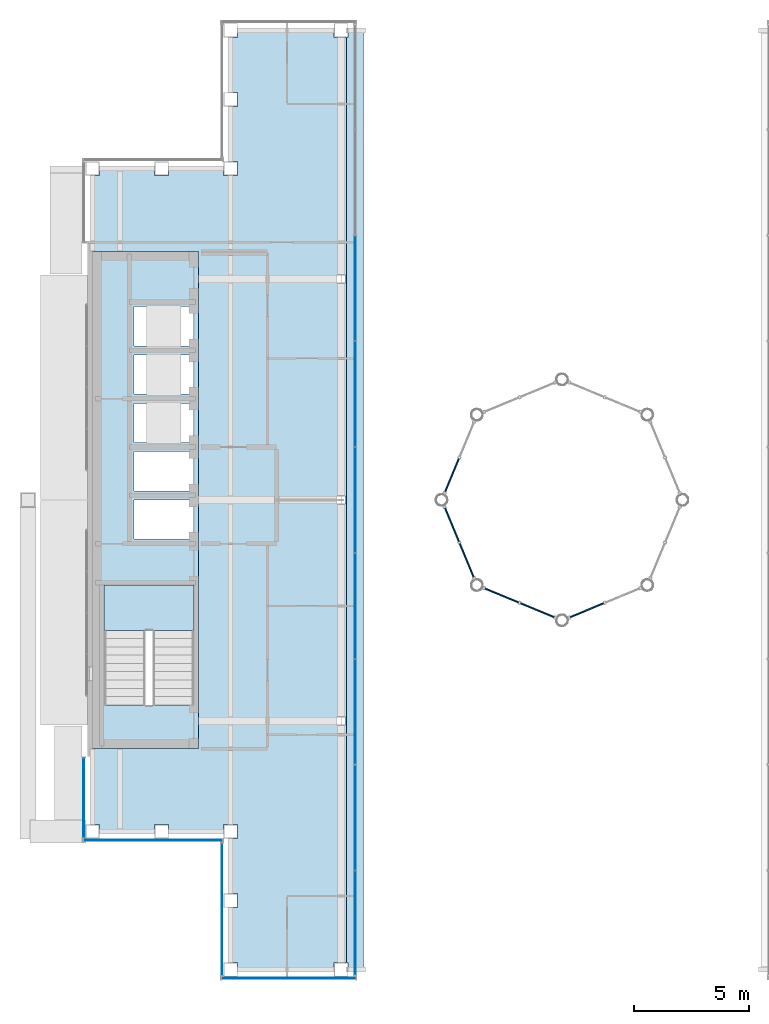
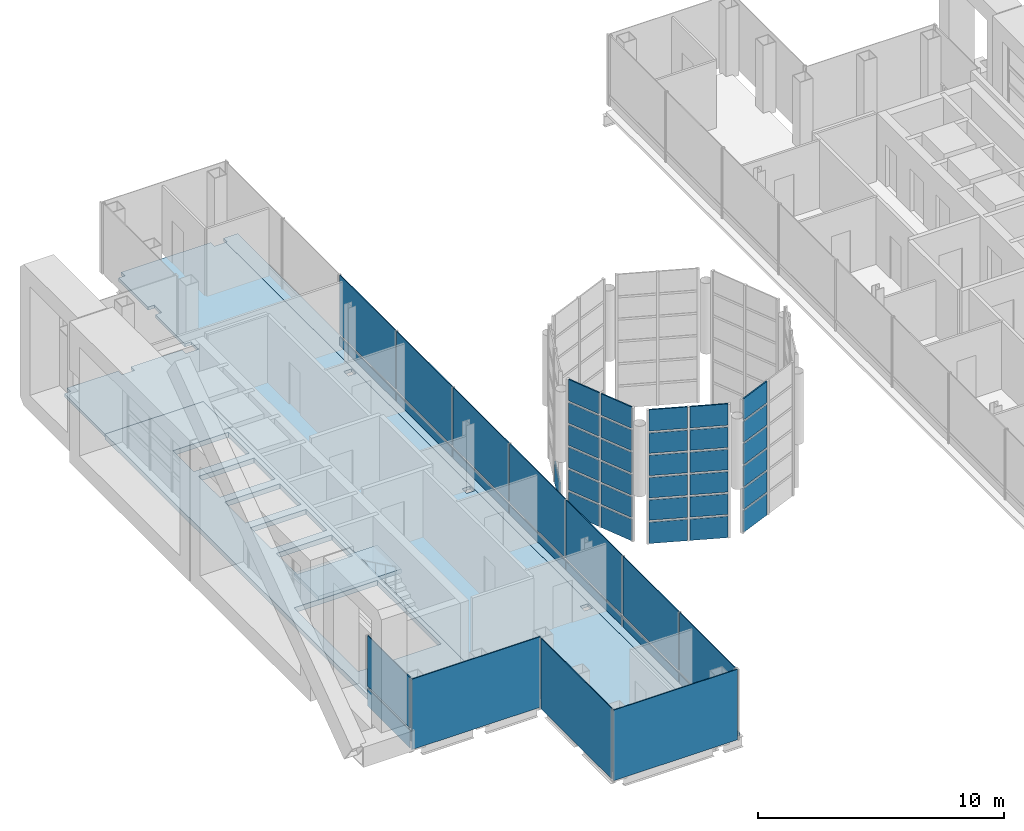
# One storey, part 10 of 21: 50 plates, 4 slabs, 10 elements without a shape of their own.
"""IFC4 building model written with IfcOpenShell, lengths in metres."""

import ifcopenshell
import ifcopenshell.guid

model = None  # the IFC model being written
_history = None  # IfcOwnerHistory: only IFC2X3 demands one
_inside = {}  # id of a spatial element -> (the spatial element, [elements in it])
_under = {}  # id of a project, library or spatial element -> (it, [spatial elements below it])
_declared = {}  # id of a project -> (the project, [libraries it declares])
_typed = {}  # id of a type object -> (the type object, [elements of that type])
_made_of = {}  # id of a material, layer set ... -> (it, [elements and type objects made of it])


def new_model(schema):
    """Start an empty IFC model of exactly this schema.

    Asked for "IFC4X3", IfcOpenShell would pick the latest addendum, in which some entities
    have other attributes; the version numbers below select the first issue.
    IFC2X3 requires an IfcOwnerHistory on every rooted entity: one is made here for all.
    """
    global model, _history
    if schema == "IFC4X3":
        model = ifcopenshell.file(schema_version=(4, 3, 0, 0))
    else:
        model = ifcopenshell.file(schema=schema)
    _inside.clear()
    _under.clear()
    _declared.clear()
    _typed.clear()
    _made_of.clear()
    _history = None
    if model.schema == "IFC2X3":
        org = make("IfcOrganization", Name="unknown")
        user = make(
            "IfcPersonAndOrganization",
            ThePerson=make("IfcPerson", FamilyName="unknown"),
            TheOrganization=org,
        )
        app = make(
            "IfcApplication",
            ApplicationDeveloper=org,
            Version="unknown",
            ApplicationFullName="unknown",
            ApplicationIdentifier="unknown",
        )
        _history = make(
            "IfcOwnerHistory",
            OwningUser=user,
            OwningApplication=app,
            ChangeAction="ADDED",
            CreationDate=0,
        )
    return model


def make(cls, **values):
    """One entity of the class cls with the attributes given. An attribute that is None is left unset."""
    return model.create_entity(
        cls, **{name: value for name, value in values.items() if value is not None}
    )


def rooted(cls, **values):
    """An entity with a GlobalId (a new one), such as an element, a storey or a relation."""
    return make(cls, GlobalId=ifcopenshell.guid.new(), OwnerHistory=_history, **values)


def si_unit(unit_type, name, prefix=None):
    """IfcSIUnit, for example si_unit("LENGTHUNIT", "METRE", prefix="MILLI")."""
    return make("IfcSIUnit", UnitType=unit_type, Prefix=prefix, Name=name)


def assignment(units):
    """IfcUnitAssignment: the units of a project."""
    return None if units is None else make("IfcUnitAssignment", Units=units)


def point(xyz):
    """IfcCartesianPoint."""
    return None if xyz is None else make("IfcCartesianPoint", Coordinates=xyz)


def direction(xyz):
    """IfcDirection."""
    return None if xyz is None else make("IfcDirection", DirectionRatios=xyz)


def frame(location, z_axis=None, x_axis=None):
    """IfcAxis2Placement3D, a coordinate frame: its origin and axes. An axis left out is left unset."""
    return make(
        "IfcAxis2Placement3D",
        Location=point(location),
        Axis=direction(z_axis),
        RefDirection=direction(x_axis),
    )


def frame_2d(location, x_axis=None):
    """IfcAxis2Placement2D, a coordinate frame in the plane: its origin and x axis."""
    return make(
        "IfcAxis2Placement2D", Location=point(location), RefDirection=direction(x_axis)
    )


def origin():
    """The frame at (0, 0, 0) with its axes left unset."""
    return frame((0.0, 0.0, 0.0))


def origin_2d():
    """The frame at (0, 0) in the plane with its x axis left unset."""
    return frame_2d((0.0, 0.0))


def place(relative_to, where):
    """IfcLocalPlacement: puts the frame where relative to a parent placement (None: the world)."""
    return make(
        "IfcLocalPlacement", PlacementRelTo=relative_to, RelativePlacement=where
    )


def context(
    kind, dimensions, precision=None, world=None, true_north=None, identifier=None
):
    """IfcGeometricRepresentationContext, for example the 3D "Model" context."""
    return make(
        "IfcGeometricRepresentationContext",
        ContextIdentifier=identifier,
        ContextType=kind,
        CoordinateSpaceDimension=dimensions,
        Precision=precision,
        WorldCoordinateSystem=world,
        TrueNorth=true_north,
    )


def subcontext(parent, identifier, kind, view, scale=None):
    """IfcGeometricRepresentationSubContext, for example "Body" below "Model"."""
    return make(
        "IfcGeometricRepresentationSubContext",
        ContextIdentifier=identifier,
        ContextType=kind,
        ParentContext=parent,
        TargetScale=scale,
        TargetView=view,
    )


def project(units=None, contexts=None):
    """IfcProject with its units and contexts."""
    return rooted(
        "IfcProject",
        Name="project",
        RepresentationContexts=contexts,
        UnitsInContext=assignment(units),
    )


def spatial(cls, under=None, at=None, **own):
    """A site, building, storey or space (cls), placed at a placement, below another one or the project."""
    s = rooted(cls, ObjectPlacement=at, **own)
    if under is not None:
        _under.setdefault(under.id(), (under, []))[1].append(s)
    return s


def polyline(points):
    """IfcPolyline through the points."""
    return make("IfcPolyline", Points=[point(p) for p in points])


def profile(cls, at=None, kind="AREA", **sizes):
    """A parametric profile (cls). Its sizes go by their IFC names, for example OverallWidth=200.0."""
    return make(cls, ProfileType=kind, Position=at, **sizes)


def rectangle(**sizes):
    """IfcRectangleProfileDef."""
    return profile("IfcRectangleProfileDef", **sizes)


def outline(outer, holes=None, kind="AREA"):
    """IfcArbitraryClosedProfileDef: a profile drawn as a closed curve; with holes, ...WithVoids."""
    if holes is None:
        return make("IfcArbitraryClosedProfileDef", ProfileType=kind, OuterCurve=outer)
    return make(
        "IfcArbitraryProfileDefWithVoids",
        ProfileType=kind,
        OuterCurve=outer,
        InnerCurves=holes,
    )


def extrude(swept, where, along, depth):
    """IfcExtrudedAreaSolid: the profile swept, set in the frame where, extruded along a direction by depth."""
    return make(
        "IfcExtrudedAreaSolid",
        SweptArea=swept,
        Position=where,
        ExtrudedDirection=direction(along),
        Depth=depth,
    )


def shape(context_of_items, identifier, shape_type, items):
    """IfcShapeRepresentation: the items that make up one representation, for example the "Body"."""
    return make(
        "IfcShapeRepresentation",
        ContextOfItems=context_of_items,
        RepresentationIdentifier=identifier,
        RepresentationType=shape_type,
        Items=items,
    )


def material(Name=None, Category=None):
    """IfcMaterial."""
    return make("IfcMaterial", Name=Name, Category=Category)


def layer(
    of_material, thickness, ventilated=None, Name=None, Category=None, Priority=None
):
    """IfcMaterialLayer: one layer of a wall or slab, of a material (None: an air gap)."""
    return make(
        "IfcMaterialLayer",
        Material=of_material,
        LayerThickness=thickness,
        IsVentilated=ventilated,
        Name=Name,
        Category=Category,
        Priority=Priority,
    )


def layer_set(layers, Name=None):
    """IfcMaterialLayerSet."""
    return make("IfcMaterialLayerSet", MaterialLayers=layers, LayerSetName=Name)


def made_of(thing, what):
    """Note that an element or type object is made of a material, layer set ...; save() writes the relation."""
    if what is not None:
        _made_of.setdefault(what.id(), (what, []))[1].append(thing)
    return thing


def type_object(cls, material=None, **own):
    """A type object (cls), such as IfcWallType, which elements share."""
    return made_of(rooted(cls, **own), material)


def element(
    cls,
    number,
    at=None,
    inside=None,
    cuts=None,
    type_object=None,
    material=None,
    context=None,
    identifier="Body",
    shape_type=None,
    held_by="IfcProductDefinitionShape",
    body=None,
    shapes=None,
    **own,
):
    """One element of the class cls, such as IfcWall. Its Tag is "e" and its number.

    at: its placement. inside: the storey or other place that contains it. cuts: it is an
    opening in that element (IfcRelVoidsElement). A single representation is given by context,
    identifier, shape_type and body (its items); several are given by shapes. held_by: the class
    of the entity that holds the representations. save() writes the other relations.
    """
    e = rooted(cls, Tag="e%d" % number, ObjectPlacement=at, **own)
    if body is not None:
        shapes = [shape(context, identifier, shape_type, body)]
    if shapes is not None:
        e.Representation = make(held_by, Representations=shapes)
    if inside is not None:
        _inside.setdefault(inside.id(), (inside, []))[1].append(e)
    if cuts is not None:
        rooted(
            "IfcRelVoidsElement", RelatingBuildingElement=cuts, RelatedOpeningElement=e
        )
    if type_object is not None:
        _typed.setdefault(type_object.id(), (type_object, []))[1].append(e)
    return made_of(e, material)


def aggregate(whole, parts):
    """IfcRelAggregates: a whole, such as a stair, and the parts it consists of."""
    return rooted("IfcRelAggregates", RelatingObject=whole, RelatedObjects=parts)


def save(model, path):
    """Write the relations noted so far, then the file.

    IfcRelAggregates (storeys below a building ...), IfcRelContainedInSpatialStructure (elements
    in a storey), IfcRelDefinesByType, IfcRelAssociatesMaterial and IfcRelDeclares: one each for
    every whole, place, type object, material and project.
    """
    for whole, parts in _under.values():
        aggregate(whole, parts)
    for where, things in _inside.values():
        rooted(
            "IfcRelContainedInSpatialStructure",
            RelatedElements=things,
            RelatingStructure=where,
        )
    for kind, things in _typed.values():
        rooted("IfcRelDefinesByType", RelatedObjects=things, RelatingType=kind)
    for what, things in _made_of.values():
        rooted("IfcRelAssociatesMaterial", RelatedObjects=things, RelatingMaterial=what)
    for by, libraries in _declared.values():
        rooted("IfcRelDeclares", RelatingContext=by, RelatedDefinitions=libraries)
    model.write(path)


model = new_model("IFC4")

# Units and contexts
model_context = context("Model", 3, precision=1e-05, world=origin(), true_north=direction((0.0, 1.0)))
body_context = subcontext(model_context, "Body", "Model", "MODEL_VIEW")
ifc_project = project(units=[si_unit("LENGTHUNIT", "METRE"), si_unit("AREAUNIT", "SQUARE_METRE"), si_unit("VOLUMEUNIT", "CUBIC_METRE"), si_unit("PLANEANGLEUNIT", "RADIAN"), si_unit("MASSUNIT", "GRAM", prefix="KILO")], contexts=[model_context])

# Site, building, storey
site_placement = place(None, origin())
site = spatial("IfcSite", under=ifc_project, at=site_placement, CompositionType="ELEMENT")
building_placement = place(site_placement, origin())
building = spatial("IfcBuilding", under=site, at=building_placement, Name="Cobrizo Arcos Hotel Tower", CompositionType="ELEMENT")
storey_placement = place(building_placement, frame((0.0, 0.0, 276.0)))
storey = spatial("IfcBuildingStorey", under=building, at=storey_placement, Name="L73", CompositionType="ELEMENT", Elevation=276.0)

# Curtain wall, plate
ifc_material_1 = material(Name="Aluminium 6063-T6 anodised bronze", Category="aluminium")
curtain_wall_type_1 = type_object("IfcCurtainWallType", Name="CW-A guest facade", PredefinedType="NOTDEFINED", material=ifc_material_1)
curtain_wall_1_placement = place(storey_placement, origin())
curtain_wall_1 = element("IfcCurtainWall", 1, at=curtain_wall_1_placement, inside=storey, type_object=curtain_wall_type_1, Name="CW-A L73 W face", PredefinedType="NOTDEFINED")
ifc_material_2 = material(Name="Glass clear laminated low-e", Category="glass")
ifc_layer_1 = layer(ifc_material_2, 0.0400390625)
ifc_layer_set_1 = layer_set([ifc_layer_1], Name="CW-A glass panel")
plate_type_1 = type_object("IfcPlateType", Name="CW-A glass panel", PredefinedType="CURTAIN_PANEL", material=ifc_layer_set_1)
plate_1_placement = place(storey_placement, frame((-20.77490234375, -12.925048828125, 0.990234375), z_axis=(0.0, 0.0, 1.0), x_axis=(0.0, -1.0, 0.0)))
plate_1 = element("IfcPlate", 2, at=plate_1_placement, type_object=plate_type_1, Name="CW-A glass panel 2321", PredefinedType="CURTAIN_PANEL", context=body_context, shape_type="SweptSolid", body=[
    extrude(rectangle(XDim=3.429931640625, YDim=0.0400390625, at=origin_2d()), origin(), (0.0, 0.0, 1.0), 2.510009765625),
])

curtain_wall_2_placement = place(storey_placement, origin())
curtain_wall_2 = element("IfcCurtainWall", 3, at=curtain_wall_2_placement, inside=storey, type_object=curtain_wall_type_1, Name="CW-A L73 S face", PredefinedType="NOTDEFINED")
ifc_material_3 = material(Name="Aluminium composite panel pale metal", Category="aluminium")
ifc_layer_2 = layer(ifc_material_3, 0.0400390625)
ifc_layer_set_2 = layer_set([ifc_layer_2], Name="CW-A spandrel panel")
plate_type_2 = type_object("IfcPlateType", Name="CW-A spandrel panel", PredefinedType="CURTAIN_PANEL", material=ifc_layer_set_2)
plate_2_placement = place(storey_placement, frame((-11.882568359375, -20.77490234375, 0.0), z_axis=(0.0, 0.0, 1.0), x_axis=(1.0, 0.0, 0.0)))
plate_2 = element("IfcPlate", 4, at=plate_2_placement, type_object=plate_type_2, Name="CW-A spandrel panel 2307", PredefinedType="CURTAIN_PANEL", context=body_context, shape_type="SweptSolid", body=[
    extrude(rectangle(XDim=5.81494140625, YDim=0.0400390625, at=origin_2d()), origin(), (0.0, 0.0, 1.0), 3.5),
])
aggregate(curtain_wall_2, [plate_2])

# Plate
plate_3_placement = place(storey_placement, frame((-20.77490234375, -12.925048828125, 0.0), z_axis=(0.0, 0.0, 1.0), x_axis=(0.0, -1.0, 0.0)))
plate_3 = element("IfcPlate", 5, at=plate_3_placement, type_object=plate_type_2, Name="CW-A spandrel panel 2321", PredefinedType="CURTAIN_PANEL", context=body_context, shape_type="SweptSolid", body=[
    extrude(rectangle(XDim=3.429931640625, YDim=0.0400390625, at=origin_2d()), origin(), (0.0, 0.0, 1.0), 0.8701171875),
])

aggregate(curtain_wall_1, [plate_3, plate_1])

# Curtain wall, plate
curtain_wall_3_placement = place(storey_placement, origin())
curtain_wall_3 = element("IfcCurtainWall", 6, at=curtain_wall_3_placement, inside=storey, type_object=curtain_wall_type_1, Name="CW-A L73 S face", PredefinedType="NOTDEFINED")
plate_4_placement = place(storey_placement, frame((-17.77490234375, -14.77490234375, 0.0), z_axis=(0.0, 0.0, 1.0), x_axis=(1.0, 0.0, 0.0)))
plate_4 = element("IfcPlate", 7, at=plate_4_placement, type_object=plate_type_2, Name="CW-A spandrel panel 2322", PredefinedType="CURTAIN_PANEL", context=body_context, shape_type="SweptSolid", body=[
    extrude(rectangle(XDim=6.030029296875, YDim=0.0400390625, at=origin_2d()), origin(), (0.0, 0.0, 1.0), 3.5),
])
aggregate(curtain_wall_3, [plate_4])

curtain_wall_4_placement = place(storey_placement, origin())
curtain_wall_4 = element("IfcCurtainWall", 8, at=curtain_wall_4_placement, inside=storey, type_object=curtain_wall_type_1, Name="CW-A L73 W face", PredefinedType="NOTDEFINED")
plate_5_placement = place(storey_placement, frame((-14.77490234375, -17.77490234375, 0.0), z_axis=(0.0, 0.0, 1.0), x_axis=(0.0, -1.0, 0.0)))
plate_5 = element("IfcPlate", 9, at=plate_5_placement, type_object=plate_type_2, Name="CW-A spandrel panel 2323", PredefinedType="CURTAIN_PANEL", context=body_context, shape_type="SweptSolid", body=[
    extrude(rectangle(XDim=5.72998046875, YDim=0.0400390625, at=origin_2d()), origin(), (0.0, 0.0, 1.0), 3.5),
])
aggregate(curtain_wall_4, [plate_5])

# Curtain wall, plates
curtain_wall_type_2 = type_object("IfcCurtainWallType", Name="CW-C arch infill and crown glazing", PredefinedType="NOTDEFINED", material=ifc_material_1)
curtain_wall_5_placement = place(storey_placement, origin())
curtain_wall_5 = element("IfcCurtainWall", 10, at=curtain_wall_5_placement, inside=storey, type_object=curtain_wall_type_2, Name="CW-C L73 E face", PredefinedType="NOTDEFINED")
ifc_layer_3 = layer(ifc_material_2, 0.0400390625)
ifc_layer_set_3 = layer_set([ifc_layer_3], Name="CW-C glass panel")
plate_type_3 = type_object("IfcPlateType", Name="CW-C glass panel", PredefinedType="CURTAIN_PANEL", material=ifc_layer_set_3)
plate_6_placement = place(storey_placement, frame((-8.989990234375, -18.382568359375, 0.0), z_axis=(0.0, 0.0, 1.0), x_axis=(0.0, 1.0, 0.0)))
plate_6 = element("IfcPlate", 11, at=plate_6_placement, type_object=plate_type_3, Name="CW-C glass panel 2308", PredefinedType="CURTAIN_PANEL", context=body_context, shape_type="SweptSolid", body=[
    extrude(rectangle(XDim=4.4951171875, YDim=0.0400390625, at=origin_2d()), origin(), (0.0, 0.0, 1.0), 0.429931640625),
])
plate_7_placement = place(storey_placement, frame((-8.989990234375, -18.382568359375, 0.56982421875), z_axis=(0.0, 0.0, 1.0), x_axis=(0.0, 1.0, 0.0)))
plate_7 = element("IfcPlate", 12, at=plate_7_placement, type_object=plate_type_3, Name="CW-C glass panel 2308", PredefinedType="CURTAIN_PANEL", context=body_context, shape_type="SweptSolid", body=[
    extrude(rectangle(XDim=4.4951171875, YDim=0.0400390625, at=origin_2d()), origin(), (0.0, 0.0, 1.0), 2.929931640625),
])
plate_8_placement = place(storey_placement, frame((-8.989990234375, -13.800048828125, 0.0), z_axis=(0.0, 0.0, 1.0), x_axis=(0.0, 1.0, 0.0)))
plate_8 = element("IfcPlate", 13, at=plate_8_placement, type_object=plate_type_3, Name="CW-C glass panel 2309", PredefinedType="CURTAIN_PANEL", context=body_context, shape_type="SweptSolid", body=[
    extrude(rectangle(XDim=4.530029296875, YDim=0.0400390625, at=origin_2d()), origin(), (0.0, 0.0, 1.0), 0.429931640625),
])
plate_9_placement = place(storey_placement, frame((-8.989990234375, -13.800048828125, 0.56982421875), z_axis=(0.0, 0.0, 1.0), x_axis=(0.0, 1.0, 0.0)))
plate_9 = element("IfcPlate", 14, at=plate_9_placement, type_object=plate_type_3, Name="CW-C glass panel 2309", PredefinedType="CURTAIN_PANEL", context=body_context, shape_type="SweptSolid", body=[
    extrude(rectangle(XDim=4.530029296875, YDim=0.0400390625, at=origin_2d()), origin(), (0.0, 0.0, 1.0), 2.929931640625),
])
plate_10_placement = place(storey_placement, frame((-8.989990234375, -9.199951171875, 0.0), z_axis=(0.0, 0.0, 1.0), x_axis=(0.0, 1.0, 0.0)))
plate_10 = element("IfcPlate", 15, at=plate_10_placement, type_object=plate_type_3, Name="CW-C glass panel 2310", PredefinedType="CURTAIN_PANEL", context=body_context, shape_type="SweptSolid", body=[
    extrude(rectangle(XDim=4.530029296875, YDim=0.0400390625, at=origin_2d()), origin(), (0.0, 0.0, 1.0), 0.429931640625),
])
plate_11_placement = place(storey_placement, frame((-8.989990234375, -9.199951171875, 0.56982421875), z_axis=(0.0, 0.0, 1.0), x_axis=(0.0, 1.0, 0.0)))
plate_11 = element("IfcPlate", 16, at=plate_11_placement, type_object=plate_type_3, Name="CW-C glass panel 2310", PredefinedType="CURTAIN_PANEL", context=body_context, shape_type="SweptSolid", body=[
    extrude(rectangle(XDim=4.530029296875, YDim=0.0400390625, at=origin_2d()), origin(), (0.0, 0.0, 1.0), 2.929931640625),
])
plate_12_placement = place(storey_placement, frame((-8.989990234375, -4.60009765625, 0.0), z_axis=(0.0, 0.0, 1.0), x_axis=(0.0, 1.0, 0.0)))
plate_12 = element("IfcPlate", 17, at=plate_12_placement, type_object=plate_type_3, Name="CW-C glass panel 2311", PredefinedType="CURTAIN_PANEL", context=body_context, shape_type="SweptSolid", body=[
    extrude(rectangle(XDim=4.530029296875, YDim=0.0400390625, at=origin_2d()), origin(), (0.0, 0.0, 1.0), 0.429931640625),
])
plate_13_placement = place(storey_placement, frame((-8.989990234375, -4.60009765625, 0.56982421875), z_axis=(0.0, 0.0, 1.0), x_axis=(0.0, 1.0, 0.0)))
plate_13 = element("IfcPlate", 18, at=plate_13_placement, type_object=plate_type_3, Name="CW-C glass panel 2311", PredefinedType="CURTAIN_PANEL", context=body_context, shape_type="SweptSolid", body=[
    extrude(rectangle(XDim=4.530029296875, YDim=0.0400390625, at=origin_2d()), origin(), (0.0, 0.0, 1.0), 2.929931640625),
])
plate_14_placement = place(storey_placement, frame((-8.989990234375, 0.0, 0.0), z_axis=(0.0, 0.0, 1.0), x_axis=(0.0, 1.0, 0.0)))
plate_14 = element("IfcPlate", 19, at=plate_14_placement, type_object=plate_type_3, Name="CW-C glass panel 2312", PredefinedType="CURTAIN_PANEL", context=body_context, shape_type="SweptSolid", body=[
    extrude(rectangle(XDim=4.530029296875, YDim=0.0400390625, at=origin_2d()), origin(), (0.0, 0.0, 1.0), 0.429931640625),
])
plate_15_placement = place(storey_placement, frame((-8.989990234375, 0.0, 0.56982421875), z_axis=(0.0, 0.0, 1.0), x_axis=(0.0, 1.0, 0.0)))
plate_15 = element("IfcPlate", 20, at=plate_15_placement, type_object=plate_type_3, Name="CW-C glass panel 2312", PredefinedType="CURTAIN_PANEL", context=body_context, shape_type="SweptSolid", body=[
    extrude(rectangle(XDim=4.530029296875, YDim=0.0400390625, at=origin_2d()), origin(), (0.0, 0.0, 1.0), 2.929931640625),
])
plate_16_placement = place(storey_placement, frame((-8.989990234375, 4.60009765625, 0.0), z_axis=(0.0, 0.0, 1.0), x_axis=(0.0, 1.0, 0.0)))
plate_16 = element("IfcPlate", 21, at=plate_16_placement, type_object=plate_type_3, Name="CW-C glass panel 2313", PredefinedType="CURTAIN_PANEL", context=body_context, shape_type="SweptSolid", body=[
    extrude(rectangle(XDim=4.530029296875, YDim=0.0400390625, at=origin_2d()), origin(), (0.0, 0.0, 1.0), 0.429931640625),
])
plate_17_placement = place(storey_placement, frame((-8.989990234375, 4.60009765625, 0.56982421875), z_axis=(0.0, 0.0, 1.0), x_axis=(0.0, 1.0, 0.0)))
plate_17 = element("IfcPlate", 22, at=plate_17_placement, type_object=plate_type_3, Name="CW-C glass panel 2313", PredefinedType="CURTAIN_PANEL", context=body_context, shape_type="SweptSolid", body=[
    extrude(rectangle(XDim=4.530029296875, YDim=0.0400390625, at=origin_2d()), origin(), (0.0, 0.0, 1.0), 2.929931640625),
])
plate_18_placement = place(storey_placement, frame((-8.989990234375, 9.199951171875, 0.0), z_axis=(0.0, 0.0, 1.0), x_axis=(0.0, 1.0, 0.0)))
plate_18 = element("IfcPlate", 23, at=plate_18_placement, type_object=plate_type_3, Name="CW-C glass panel 2314", PredefinedType="CURTAIN_PANEL", context=body_context, shape_type="SweptSolid", body=[
    extrude(rectangle(XDim=4.530029296875, YDim=0.0400390625, at=origin_2d()), origin(), (0.0, 0.0, 1.0), 0.429931640625),
])
plate_19_placement = place(storey_placement, frame((-8.989990234375, 9.199951171875, 0.56982421875), z_axis=(0.0, 0.0, 1.0), x_axis=(0.0, 1.0, 0.0)))
plate_19 = element("IfcPlate", 24, at=plate_19_placement, type_object=plate_type_3, Name="CW-C glass panel 2314", PredefinedType="CURTAIN_PANEL", context=body_context, shape_type="SweptSolid", body=[
    extrude(rectangle(XDim=4.530029296875, YDim=0.0400390625, at=origin_2d()), origin(), (0.0, 0.0, 1.0), 2.929931640625),
])
aggregate(curtain_wall_5, [plate_6, plate_7, plate_8, plate_9, plate_10, plate_11, plate_12, plate_13, plate_14, plate_15, plate_16, plate_17, plate_18, plate_19])

# Curtain wall, plate
curtain_wall_type_3 = type_object("IfcCurtainWallType", Name="CW-D plant louvre wall", PredefinedType="NOTDEFINED", material=ifc_material_1)
curtain_wall_6_placement = place(storey_placement, origin())
curtain_wall_6 = element("IfcCurtainWall", 25, at=curtain_wall_6_placement, inside=storey, type_object=curtain_wall_type_3, Name="CW-D drum louvre wall t1-4", PredefinedType="NOTDEFINED")
ifc_layer_4 = layer(ifc_material_3, 0.06005859375)
ifc_layer_set_4 = layer_set([ifc_layer_4], Name="CW-D spandrel panel")
plate_type_4 = type_object("IfcPlateType", Name="CW-D spandrel panel", PredefinedType="CURTAIN_PANEL", material=ifc_layer_set_4)
plate_20_placement = place(storey_placement, frame((-4.785400390625, 1.079345703125, -2.5), z_axis=(0.0, 0.0, 1.0), x_axis=(-0.382683432365, -0.923879532511, 0.0)))
plate_20 = element("IfcPlate", 26, at=plate_20_placement, type_object=plate_type_4, Name="CW-D louvre panel 2-0", PredefinedType="CURTAIN_PANEL", context=body_context, shape_type="SweptSolid", body=[
    extrude(rectangle(XDim=1.568359375, YDim=0.06005859375, at=origin_2d()), origin(), (0.0, 0.0, 1.0), 1.0556640625),
])
aggregate(curtain_wall_6, [plate_20])

# Curtain wall, plates
curtain_wall_7_placement = place(storey_placement, origin())
curtain_wall_7 = element("IfcCurtainWall", 27, at=curtain_wall_7_placement, inside=storey, type_object=curtain_wall_type_3, Name="CW-D drum louvre wall t1-5", PredefinedType="NOTDEFINED")
plate_21_placement = place(storey_placement, frame((-4.785400390625, -1.079345703125, -2.5), z_axis=(0.0, 0.0, 1.0), x_axis=(0.382683432365, -0.923879532511, 0.0)))
plate_21 = element("IfcPlate", 28, at=plate_21_placement, type_object=plate_type_4, Name="CW-D louvre panel 1-0", PredefinedType="CURTAIN_PANEL", context=body_context, shape_type="SweptSolid", body=[
    extrude(rectangle(XDim=1.568359375, YDim=0.06005859375, at=origin_2d()), origin(), (0.0, 0.0, 1.0), 1.0556640625),
])
plate_22_placement = place(storey_placement, frame((-4.785400390625, -1.079345703125, -1.3447265625), z_axis=(0.0, 0.0, 1.0), x_axis=(0.382683432365, -0.923879532511, 0.0)))
plate_22 = element("IfcPlate", 29, at=plate_22_placement, type_object=plate_type_4, Name="CW-D louvre panel 1-1", PredefinedType="CURTAIN_PANEL", context=body_context, shape_type="SweptSolid", body=[
    extrude(rectangle(XDim=1.568359375, YDim=0.06005859375, at=origin_2d()), origin(), (0.0, 0.0, 1.0), 1.005615234375),
])
plate_23_placement = place(storey_placement, frame((-4.785400390625, -1.079345703125, -0.23876953125), z_axis=(0.0, 0.0, 1.0), x_axis=(0.382683432365, -0.923879532511, 0.0)))
plate_23 = element("IfcPlate", 30, at=plate_23_placement, type_object=plate_type_4, Name="CW-D louvre panel 1-2", PredefinedType="CURTAIN_PANEL", context=body_context, shape_type="SweptSolid", body=[
    extrude(rectangle(XDim=1.568359375, YDim=0.06005859375, at=origin_2d()), origin(), (0.0, 0.0, 1.0), 1.005615234375),
])
plate_24_placement = place(storey_placement, frame((-4.785400390625, -1.079345703125, 0.86669921875), z_axis=(0.0, 0.0, 1.0), x_axis=(0.382683432365, -0.923879532511, 0.0)))
plate_24 = element("IfcPlate", 31, at=plate_24_placement, type_object=plate_type_4, Name="CW-D louvre panel 1-3", PredefinedType="CURTAIN_PANEL", context=body_context, shape_type="SweptSolid", body=[
    extrude(rectangle(XDim=1.568359375, YDim=0.06005859375, at=origin_2d()), origin(), (0.0, 0.0, 1.0), 1.005615234375),
])
plate_25_placement = place(storey_placement, frame((-4.785400390625, -1.079345703125, 1.97216796875), z_axis=(0.0, 0.0, 1.0), x_axis=(0.382683432365, -0.923879532511, 0.0)))
plate_25 = element("IfcPlate", 32, at=plate_25_placement, type_object=plate_type_4, Name="CW-D louvre panel 1-4", PredefinedType="CURTAIN_PANEL", context=body_context, shape_type="SweptSolid", body=[
    extrude(rectangle(XDim=1.568359375, YDim=0.06005859375, at=origin_2d()), origin(), (0.0, 0.0, 1.0), 1.005615234375),
])
plate_26_placement = place(storey_placement, frame((-4.785400390625, -1.079345703125, 3.077880859375), z_axis=(0.0, 0.0, 1.0), x_axis=(0.382683432365, -0.923879532511, 0.0)))
plate_26 = element("IfcPlate", 33, at=plate_26_placement, type_object=plate_type_4, Name="CW-D louvre panel 1-5", PredefinedType="CURTAIN_PANEL", context=body_context, shape_type="SweptSolid", body=[
    extrude(rectangle(XDim=1.568359375, YDim=0.06005859375, at=origin_2d()), origin(), (0.0, 0.0, 1.0), 1.0556640625),
])
plate_27_placement = place(storey_placement, frame((-4.147216796875, -2.62060546875, -2.5), z_axis=(0.0, 0.0, 1.0), x_axis=(0.382683432365, -0.923879532511, 0.0)))
plate_27 = element("IfcPlate", 34, at=plate_27_placement, type_object=plate_type_4, Name="CW-D louvre panel 2-0", PredefinedType="CURTAIN_PANEL", context=body_context, shape_type="SweptSolid", body=[
    extrude(rectangle(XDim=1.568359375, YDim=0.06005859375, at=origin_2d()), origin(), (0.0, 0.0, 1.0), 1.0556640625),
])
plate_28_placement = place(storey_placement, frame((-4.147216796875, -2.62060546875, -1.3447265625), z_axis=(0.0, 0.0, 1.0), x_axis=(0.382683432365, -0.923879532511, 0.0)))
plate_28 = element("IfcPlate", 35, at=plate_28_placement, type_object=plate_type_4, Name="CW-D louvre panel 2-1", PredefinedType="CURTAIN_PANEL", context=body_context, shape_type="SweptSolid", body=[
    extrude(rectangle(XDim=1.568359375, YDim=0.06005859375, at=origin_2d()), origin(), (0.0, 0.0, 1.0), 1.005615234375),
])
plate_29_placement = place(storey_placement, frame((-4.147216796875, -2.62060546875, -0.23876953125), z_axis=(0.0, 0.0, 1.0), x_axis=(0.382683432365, -0.923879532511, 0.0)))
plate_29 = element("IfcPlate", 36, at=plate_29_placement, type_object=plate_type_4, Name="CW-D louvre panel 2-2", PredefinedType="CURTAIN_PANEL", context=body_context, shape_type="SweptSolid", body=[
    extrude(rectangle(XDim=1.568359375, YDim=0.06005859375, at=origin_2d()), origin(), (0.0, 0.0, 1.0), 1.005615234375),
])
plate_30_placement = place(storey_placement, frame((-4.147216796875, -2.62060546875, 0.86669921875), z_axis=(0.0, 0.0, 1.0), x_axis=(0.382683432365, -0.923879532511, 0.0)))
plate_30 = element("IfcPlate", 37, at=plate_30_placement, type_object=plate_type_4, Name="CW-D louvre panel 2-3", PredefinedType="CURTAIN_PANEL", context=body_context, shape_type="SweptSolid", body=[
    extrude(rectangle(XDim=1.568359375, YDim=0.06005859375, at=origin_2d()), origin(), (0.0, 0.0, 1.0), 1.005615234375),
])
plate_31_placement = place(storey_placement, frame((-4.147216796875, -2.62060546875, 1.97216796875), z_axis=(0.0, 0.0, 1.0), x_axis=(0.382683432365, -0.923879532511, 0.0)))
plate_31 = element("IfcPlate", 38, at=plate_31_placement, type_object=plate_type_4, Name="CW-D louvre panel 2-4", PredefinedType="CURTAIN_PANEL", context=body_context, shape_type="SweptSolid", body=[
    extrude(rectangle(XDim=1.568359375, YDim=0.06005859375, at=origin_2d()), origin(), (0.0, 0.0, 1.0), 1.005615234375),
])
plate_32_placement = place(storey_placement, frame((-4.147216796875, -2.62060546875, 3.077880859375), z_axis=(0.0, 0.0, 1.0), x_axis=(0.382683432365, -0.923879532511, 0.0)))
plate_32 = element("IfcPlate", 39, at=plate_32_placement, type_object=plate_type_4, Name="CW-D louvre panel 2-5", PredefinedType="CURTAIN_PANEL", context=body_context, shape_type="SweptSolid", body=[
    extrude(rectangle(XDim=1.568359375, YDim=0.06005859375, at=origin_2d()), origin(), (0.0, 0.0, 1.0), 1.0556640625),
])
aggregate(curtain_wall_7, [plate_21, plate_22, plate_23, plate_24, plate_25, plate_26, plate_27, plate_28, plate_29, plate_30, plate_31, plate_32])

curtain_wall_8_placement = place(storey_placement, origin())
curtain_wall_8 = element("IfcCurtainWall", 40, at=curtain_wall_8_placement, inside=storey, type_object=curtain_wall_type_3, Name="CW-D drum louvre wall t1-6", PredefinedType="NOTDEFINED")
plate_33_placement = place(storey_placement, frame((-2.62060546875, -4.147216796875, -2.5), z_axis=(0.0, 0.0, 1.0), x_axis=(0.923879532511, -0.382683432365, 0.0)))
plate_33 = element("IfcPlate", 41, at=plate_33_placement, type_object=plate_type_4, Name="CW-D louvre panel 1-0", PredefinedType="CURTAIN_PANEL", context=body_context, shape_type="SweptSolid", body=[
    extrude(rectangle(XDim=1.568359375, YDim=0.06005859375, at=origin_2d()), origin(), (0.0, 0.0, 1.0), 1.0556640625),
])
plate_34_placement = place(storey_placement, frame((-2.62060546875, -4.147216796875, -1.3447265625), z_axis=(0.0, 0.0, 1.0), x_axis=(0.923879532511, -0.382683432365, 0.0)))
plate_34 = element("IfcPlate", 42, at=plate_34_placement, type_object=plate_type_4, Name="CW-D louvre panel 1-1", PredefinedType="CURTAIN_PANEL", context=body_context, shape_type="SweptSolid", body=[
    extrude(rectangle(XDim=1.568359375, YDim=0.06005859375, at=origin_2d()), origin(), (0.0, 0.0, 1.0), 1.005615234375),
])
plate_35_placement = place(storey_placement, frame((-2.62060546875, -4.147216796875, -0.23876953125), z_axis=(0.0, 0.0, 1.0), x_axis=(0.923879532511, -0.382683432365, 0.0)))
plate_35 = element("IfcPlate", 43, at=plate_35_placement, type_object=plate_type_4, Name="CW-D louvre panel 1-2", PredefinedType="CURTAIN_PANEL", context=body_context, shape_type="SweptSolid", body=[
    extrude(rectangle(XDim=1.568359375, YDim=0.06005859375, at=origin_2d()), origin(), (0.0, 0.0, 1.0), 1.005615234375),
])
plate_36_placement = place(storey_placement, frame((-2.62060546875, -4.147216796875, 0.86669921875), z_axis=(0.0, 0.0, 1.0), x_axis=(0.923879532511, -0.382683432365, 0.0)))
plate_36 = element("IfcPlate", 44, at=plate_36_placement, type_object=plate_type_4, Name="CW-D louvre panel 1-3", PredefinedType="CURTAIN_PANEL", context=body_context, shape_type="SweptSolid", body=[
    extrude(rectangle(XDim=1.568359375, YDim=0.06005859375, at=origin_2d()), origin(), (0.0, 0.0, 1.0), 1.005615234375),
])
plate_37_placement = place(storey_placement, frame((-2.62060546875, -4.147216796875, 1.97216796875), z_axis=(0.0, 0.0, 1.0), x_axis=(0.923879532511, -0.382683432365, 0.0)))
plate_37 = element("IfcPlate", 45, at=plate_37_placement, type_object=plate_type_4, Name="CW-D louvre panel 1-4", PredefinedType="CURTAIN_PANEL", context=body_context, shape_type="SweptSolid", body=[
    extrude(rectangle(XDim=1.568359375, YDim=0.06005859375, at=origin_2d()), origin(), (0.0, 0.0, 1.0), 1.005615234375),
])
plate_38_placement = place(storey_placement, frame((-2.62060546875, -4.147216796875, 3.077880859375), z_axis=(0.0, 0.0, 1.0), x_axis=(0.923879532511, -0.382683432365, 0.0)))
plate_38 = element("IfcPlate", 46, at=plate_38_placement, type_object=plate_type_4, Name="CW-D louvre panel 1-5", PredefinedType="CURTAIN_PANEL", context=body_context, shape_type="SweptSolid", body=[
    extrude(rectangle(XDim=1.568359375, YDim=0.06005859375, at=origin_2d()), origin(), (0.0, 0.0, 1.0), 1.0556640625),
])
plate_39_placement = place(storey_placement, frame((-1.079345703125, -4.785400390625, -2.5), z_axis=(0.0, 0.0, 1.0), x_axis=(0.923879532511, -0.382683432365, 0.0)))
plate_39 = element("IfcPlate", 47, at=plate_39_placement, type_object=plate_type_4, Name="CW-D louvre panel 2-0", PredefinedType="CURTAIN_PANEL", context=body_context, shape_type="SweptSolid", body=[
    extrude(rectangle(XDim=1.568359375, YDim=0.06005859375, at=origin_2d()), origin(), (0.0, 0.0, 1.0), 1.0556640625),
])
plate_40_placement = place(storey_placement, frame((-1.079345703125, -4.785400390625, -1.3447265625), z_axis=(0.0, 0.0, 1.0), x_axis=(0.923879532511, -0.382683432365, 0.0)))
plate_40 = element("IfcPlate", 48, at=plate_40_placement, type_object=plate_type_4, Name="CW-D louvre panel 2-1", PredefinedType="CURTAIN_PANEL", context=body_context, shape_type="SweptSolid", body=[
    extrude(rectangle(XDim=1.568359375, YDim=0.06005859375, at=origin_2d()), origin(), (0.0, 0.0, 1.0), 1.005615234375),
])
plate_41_placement = place(storey_placement, frame((-1.079345703125, -4.785400390625, -0.23876953125), z_axis=(0.0, 0.0, 1.0), x_axis=(0.923879532511, -0.382683432365, 0.0)))
plate_41 = element("IfcPlate", 49, at=plate_41_placement, type_object=plate_type_4, Name="CW-D louvre panel 2-2", PredefinedType="CURTAIN_PANEL", context=body_context, shape_type="SweptSolid", body=[
    extrude(rectangle(XDim=1.568359375, YDim=0.06005859375, at=origin_2d()), origin(), (0.0, 0.0, 1.0), 1.005615234375),
])
plate_42_placement = place(storey_placement, frame((-1.079345703125, -4.785400390625, 0.86669921875), z_axis=(0.0, 0.0, 1.0), x_axis=(0.923879532511, -0.382683432365, 0.0)))
plate_42 = element("IfcPlate", 50, at=plate_42_placement, type_object=plate_type_4, Name="CW-D louvre panel 2-3", PredefinedType="CURTAIN_PANEL", context=body_context, shape_type="SweptSolid", body=[
    extrude(rectangle(XDim=1.568359375, YDim=0.06005859375, at=origin_2d()), origin(), (0.0, 0.0, 1.0), 1.005615234375),
])
plate_43_placement = place(storey_placement, frame((-1.079345703125, -4.785400390625, 1.97216796875), z_axis=(0.0, 0.0, 1.0), x_axis=(0.923879532511, -0.382683432365, 0.0)))
plate_43 = element("IfcPlate", 51, at=plate_43_placement, type_object=plate_type_4, Name="CW-D louvre panel 2-4", PredefinedType="CURTAIN_PANEL", context=body_context, shape_type="SweptSolid", body=[
    extrude(rectangle(XDim=1.568359375, YDim=0.06005859375, at=origin_2d()), origin(), (0.0, 0.0, 1.0), 1.005615234375),
])
plate_44_placement = place(storey_placement, frame((-1.079345703125, -4.785400390625, 3.077880859375), z_axis=(0.0, 0.0, 1.0), x_axis=(0.923879532511, -0.382683432365, 0.0)))
plate_44 = element("IfcPlate", 52, at=plate_44_placement, type_object=plate_type_4, Name="CW-D louvre panel 2-5", PredefinedType="CURTAIN_PANEL", context=body_context, shape_type="SweptSolid", body=[
    extrude(rectangle(XDim=1.568359375, YDim=0.06005859375, at=origin_2d()), origin(), (0.0, 0.0, 1.0), 1.0556640625),
])
aggregate(curtain_wall_8, [plate_33, plate_34, plate_35, plate_36, plate_37, plate_38, plate_39, plate_40, plate_41, plate_42, plate_43, plate_44])

curtain_wall_9_placement = place(storey_placement, origin())
curtain_wall_9 = element("IfcCurtainWall", 53, at=curtain_wall_9_placement, inside=storey, type_object=curtain_wall_type_3, Name="CW-D drum louvre wall t1-7", PredefinedType="NOTDEFINED")
plate_45_placement = place(storey_placement, frame((1.079345703125, -4.785400390625, -2.5), z_axis=(0.0, 0.0, 1.0), x_axis=(0.923879532511, 0.382683432365, 0.0)))
plate_45 = element("IfcPlate", 54, at=plate_45_placement, type_object=plate_type_4, Name="CW-D louvre panel 1-0", PredefinedType="CURTAIN_PANEL", context=body_context, shape_type="SweptSolid", body=[
    extrude(rectangle(XDim=1.568359375, YDim=0.06005859375, at=origin_2d()), origin(), (0.0, 0.0, 1.0), 1.0556640625),
])
plate_46_placement = place(storey_placement, frame((1.079345703125, -4.785400390625, -1.3447265625), z_axis=(0.0, 0.0, 1.0), x_axis=(0.923879532511, 0.382683432365, 0.0)))
plate_46 = element("IfcPlate", 55, at=plate_46_placement, type_object=plate_type_4, Name="CW-D louvre panel 1-1", PredefinedType="CURTAIN_PANEL", context=body_context, shape_type="SweptSolid", body=[
    extrude(rectangle(XDim=1.568359375, YDim=0.06005859375, at=origin_2d()), origin(), (0.0, 0.0, 1.0), 1.005615234375),
])
plate_47_placement = place(storey_placement, frame((1.079345703125, -4.785400390625, -0.23876953125), z_axis=(0.0, 0.0, 1.0), x_axis=(0.923879532511, 0.382683432365, 0.0)))
plate_47 = element("IfcPlate", 56, at=plate_47_placement, type_object=plate_type_4, Name="CW-D louvre panel 1-2", PredefinedType="CURTAIN_PANEL", context=body_context, shape_type="SweptSolid", body=[
    extrude(rectangle(XDim=1.568359375, YDim=0.06005859375, at=origin_2d()), origin(), (0.0, 0.0, 1.0), 1.005615234375),
])
plate_48_placement = place(storey_placement, frame((1.079345703125, -4.785400390625, 0.86669921875), z_axis=(0.0, 0.0, 1.0), x_axis=(0.923879532511, 0.382683432365, 0.0)))
plate_48 = element("IfcPlate", 57, at=plate_48_placement, type_object=plate_type_4, Name="CW-D louvre panel 1-3", PredefinedType="CURTAIN_PANEL", context=body_context, shape_type="SweptSolid", body=[
    extrude(rectangle(XDim=1.568359375, YDim=0.06005859375, at=origin_2d()), origin(), (0.0, 0.0, 1.0), 1.005615234375),
])
plate_49_placement = place(storey_placement, frame((1.079345703125, -4.785400390625, 1.97216796875), z_axis=(0.0, 0.0, 1.0), x_axis=(0.923879532511, 0.382683432365, 0.0)))
plate_49 = element("IfcPlate", 58, at=plate_49_placement, type_object=plate_type_4, Name="CW-D louvre panel 1-4", PredefinedType="CURTAIN_PANEL", context=body_context, shape_type="SweptSolid", body=[
    extrude(rectangle(XDim=1.568359375, YDim=0.06005859375, at=origin_2d()), origin(), (0.0, 0.0, 1.0), 1.005615234375),
])
plate_50_placement = place(storey_placement, frame((1.079345703125, -4.785400390625, 3.077880859375), z_axis=(0.0, 0.0, 1.0), x_axis=(0.923879532511, 0.382683432365, 0.0)))
plate_50 = element("IfcPlate", 59, at=plate_50_placement, type_object=plate_type_4, Name="CW-D louvre panel 1-5", PredefinedType="CURTAIN_PANEL", context=body_context, shape_type="SweptSolid", body=[
    extrude(rectangle(XDim=1.568359375, YDim=0.06005859375, at=origin_2d()), origin(), (0.0, 0.0, 1.0), 1.0556640625),
])
aggregate(curtain_wall_9, [plate_45, plate_46, plate_47, plate_48, plate_49, plate_50])

# Slabs
ifc_material_4 = material(Name="Concrete f'c 35 MPa", Category="concrete")
ifc_layer_5 = layer(ifc_material_4, 0.14990234375)
ifc_layer_set_5 = layer_set([ifc_layer_5], Name="Composite floor slab 150 f'c 35")
slab_type_1 = type_object("IfcSlabType", Name="Composite floor slab 150 f'c 35", PredefinedType="FLOOR", material=ifc_layer_set_5)
slab_1_placement = place(storey_placement, frame((0.0, 0.0, -0.14990234375)))
element("IfcSlab", 60, at=slab_1_placement, inside=storey, type_object=slab_type_1, Name="Floor slab S5, L73, no. 01", PredefinedType="FLOOR", context=body_context, shape_type="SweptSolid", body=[
    extrude(outline(polyline([(-14.39990234375, -17.699951171875), (-14.10009765625, -17.699951171875), (-14.10009765625, -17.10009765625), (-14.39990234375, -17.10009765625), (-14.39990234375, -14.699951171875), (-14.10009765625, -14.699951171875), (-14.10009765625, -14.10009765625), (-14.699951171875, -14.10009765625), (-14.699951171875, -14.39990234375), (-17.10009765625, -14.39990234375), (-17.10009765625, -14.10009765625), (-17.699951171875, -14.10009765625), (-17.699951171875, -14.39990234375), (-20.10009765625, -14.39990234375), (-20.10009765625, -14.10009765625), (-20.39990234375, -14.10009765625), (-20.39990234375, -10.800048828125), (-15.800048828125, -10.800048828125), (-15.800048828125, 10.800048828125), (-20.39990234375, 10.800048828125), (-20.39990234375, 14.10009765625), (-20.10009765625, 14.10009765625), (-20.10009765625, 14.39990234375), (-17.699951171875, 14.39990234375), (-17.699951171875, 14.10009765625), (-17.10009765625, 14.10009765625), (-17.10009765625, 14.39990234375), (-14.699951171875, 14.39990234375), (-14.699951171875, 14.10009765625), (-14.10009765625, 14.10009765625), (-14.10009765625, 14.699951171875), (-14.39990234375, 14.699951171875), (-14.39990234375, 17.10009765625), (-14.10009765625, 17.10009765625), (-14.10009765625, 17.699951171875), (-14.39990234375, 17.699951171875), (-14.39990234375, 20.10009765625), (-14.10009765625, 20.10009765625), (-14.10009765625, 20.39990234375), (-9.89990234375, 20.39990234375), (-9.89990234375, 20.10009765625), (-9.364990234375, 20.10009765625), (-9.364990234375, -20.10009765625), (-9.89990234375, -20.10009765625), (-9.89990234375, -20.39990234375), (-14.10009765625, -20.39990234375), (-14.10009765625, -20.10009765625), (-14.39990234375, -20.10009765625), (-14.39990234375, -17.699951171875)]), holes=[polyline([(-9.415771484375, -9.7841796875), (-9.415771484375, -9.415771484375), (-9.7841796875, -9.415771484375), (-9.7841796875, -9.7841796875), (-9.415771484375, -9.7841796875)]), polyline([(-9.415771484375, -0.18408203125), (-9.415771484375, 0.18408203125), (-9.7841796875, 0.18408203125), (-9.7841796875, -0.18408203125), (-9.415771484375, -0.18408203125)]), polyline([(-9.415771484375, 9.415771484375), (-9.415771484375, 9.7841796875), (-9.7841796875, 9.7841796875), (-9.7841796875, 9.415771484375), (-9.415771484375, 9.415771484375)])]), origin(), (0.0, 0.0, 1.0), 0.14990234375),
])
ifc_material_5 = material(Name="Concrete f'c 40 MPa", Category="concrete")
ifc_layer_6 = layer(ifc_material_5, 0.25)
ifc_layer_set_6 = layer_set([ifc_layer_6], Name="RC core floor slab 250 f'c 40")
slab_type_2 = type_object("IfcSlabType", Name="RC core floor slab 250 f'c 40", PredefinedType="FLOOR", material=ifc_layer_set_6)
slab_2_placement = place(storey_placement, frame((0.0, 0.0, -0.25)))
element("IfcSlab", 61, at=slab_2_placement, inside=storey, type_object=slab_type_2, Name="Core floor slab CS7, west core, L73", PredefinedType="FLOOR", context=body_context, shape_type="SweptSolid", body=[
    extrude(outline(polyline([(-20.39990234375, 10.800048828125), (-15.800048828125, 10.800048828125), (-15.800048828125, -10.800048828125), (-20.39990234375, -10.800048828125), (-20.39990234375, 10.800048828125)]), holes=[polyline([(-19.89794921875, -3.701904296875), (-19.89794921875, -8.89794921875), (-16.001953125, -8.89794921875), (-16.001953125, -3.701904296875), (-19.89794921875, -3.701904296875)]), polyline([(-18.60009765625, 0.0), (-18.60009765625, -1.699951171875), (-16.0, -1.699951171875), (-16.0, 0.0), (-18.60009765625, 0.0)]), polyline([(-18.60009765625, 2.10009765625), (-18.60009765625, 0.39990234375), (-16.0, 0.39990234375), (-16.0, 2.10009765625), (-18.60009765625, 2.10009765625)]), polyline([(-18.60009765625, 4.199951171875), (-18.60009765625, 2.5), (-16.0, 2.5), (-16.0, 4.199951171875), (-18.60009765625, 4.199951171875)]), polyline([(-16.0, 6.300048828125), (-18.60009765625, 6.300048828125), (-18.60009765625, 4.60009765625), (-16.0, 4.60009765625), (-16.0, 6.300048828125)]), polyline([(-16.0, 8.39990234375), (-18.60009765625, 8.39990234375), (-18.60009765625, 6.699951171875), (-16.0, 6.699951171875), (-16.0, 8.39990234375)])]), origin(), (0.0, 0.0, 1.0), 0.25),
])
ifc_layer_7 = layer(ifc_material_4, 0.14990234375)
ifc_layer_set_7 = layer_set([ifc_layer_7], Name="RC roof slab 150 f'c 35")
slab_type_3 = type_object("IfcSlabType", Name="RC roof slab 150 f'c 35", PredefinedType="ROOF", material=ifc_layer_set_7)
slab_3_placement = place(storey_placement, frame((0.0, 0.0, -0.14990234375)))
element("IfcSlab", 62, at=slab_3_placement, inside=storey, type_object=slab_type_3, Name="Roof slab RS5, L73, no. 01", PredefinedType="ROOF", context=body_context, shape_type="SweptSolid", body=[
    extrude(outline(polyline([(-9.300048828125, -20.39990234375), (-9.300048828125, -20.10009765625), (-9.364990234375, -20.10009765625), (-9.364990234375, 20.10009765625), (-9.300048828125, 20.10009765625), (-9.300048828125, 20.39990234375), (-8.635009765625, 20.39990234375), (-8.635009765625, -20.39990234375), (-9.300048828125, -20.39990234375)])), origin(), (0.0, 0.0, 1.0), 0.14990234375),
])

# Stair, slab
stair_type = type_object("IfcStairType", Name="Exit stair", PredefinedType="HALF_TURN_STAIR", material=ifc_material_5)
stair_placement = place(storey_placement, origin())
stair = element("IfcStair", 63, at=stair_placement, inside=storey, type_object=stair_type, Name="L73 Exit stair ST-W", PredefinedType="HALF_TURN_STAIR")
ifc_layer_8 = layer(ifc_material_5, 0.199951171875)
ifc_layer_set_8 = layer_set([ifc_layer_8], Name="Stair landing")
slab_type_4 = type_object("IfcSlabType", Name="Stair landing", PredefinedType="LANDING", material=ifc_layer_set_8)
slab_4_placement = place(storey_placement, frame((0.0, 0.0, 1.550048828125)))
slab_4 = element("IfcSlab", 64, at=slab_4_placement, type_object=slab_type_4, Name="ST-W landing 1", PredefinedType="LANDING", context=body_context, shape_type="SweptSolid", body=[
    extrude(outline(polyline([(-16.0, -5.659912109375), (-16.0, -3.699951171875), (-19.89990234375, -3.699951171875), (-19.89990234375, -5.659912109375), (-16.0, -5.659912109375)])), origin(), (0.0, 0.0, 1.0), 0.199951171875),
])
aggregate(stair, [slab_4])

save(model, "model.ifc")
